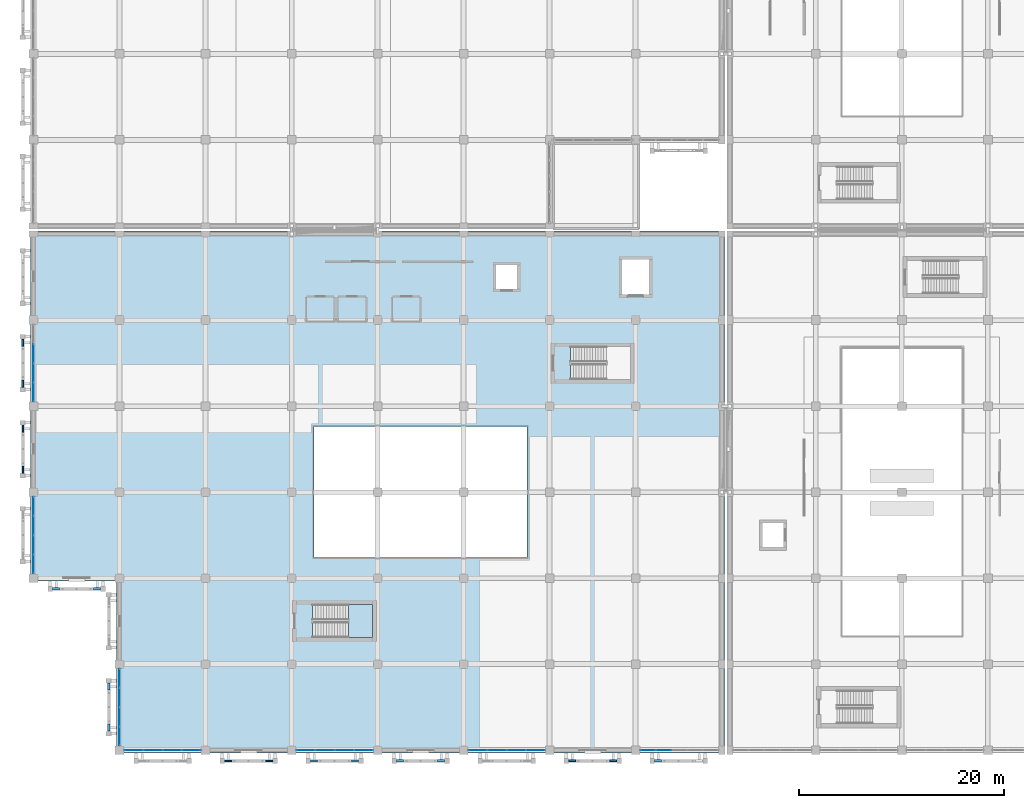
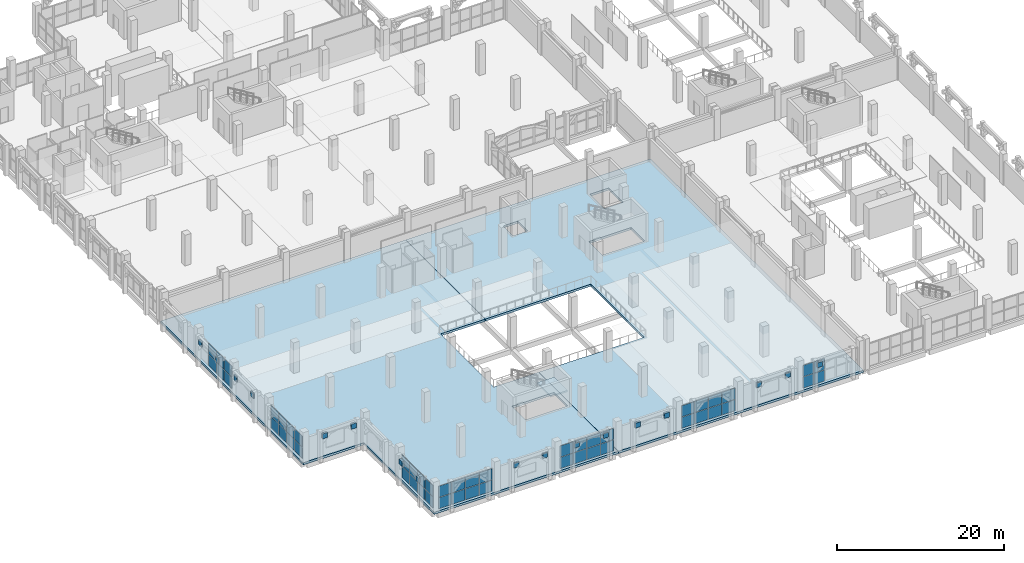
# One storey, part 87 of 137: 67 plates, 3 slabs, 8 elements without a shape of their own.
"""IFC4 building model written with IfcOpenShell, lengths in metres."""

from ifc_helpers import new_model, si_unit, direction, frame, origin, origin_2d, place, context, subcontext, project, spatial, polyline, rectangle, outline, extrude, material, layer, layer_set, type_object, element, aggregate, save


model = new_model("IFC4")

# Units and contexts
model_context = context("Model", 3, precision=1e-05, world=origin(), true_north=direction((0.0, 1.0)))
body_context = subcontext(model_context, "Body", "Model", "MODEL_VIEW")
ifc_project = project(units=[si_unit("LENGTHUNIT", "METRE"), si_unit("AREAUNIT", "SQUARE_METRE"), si_unit("VOLUMEUNIT", "CUBIC_METRE"), si_unit("PLANEANGLEUNIT", "RADIAN"), si_unit("MASSUNIT", "GRAM", prefix="KILO")], contexts=[model_context])

# Site, building, storey
site_placement = place(None, origin())
site = spatial("IfcSite", under=ifc_project, at=site_placement, CompositionType="ELEMENT")
building_placement = place(site_placement, origin())
building = spatial("IfcBuilding", under=site, at=building_placement, Name="Xazarin Passage Department Store", CompositionType="ELEMENT")
storey_placement = place(building_placement, frame((0.0, 0.0, 5.39990234375)))
storey = spatial("IfcBuildingStorey", under=building, at=storey_placement, Name="L01", CompositionType="ELEMENT", Elevation=5.39990234375)

# Curtain wall, plates
ifc_material_1 = material(Name="Bronze anodised aluminium", Category="aluminium")
ifc_layer_1 = layer(ifc_material_1, 0.18994140625)
ifc_layer_set_1 = layer_set([ifc_layer_1], Name="Bronze anodised aluminium")
curtain_wall_type = type_object("IfcCurtainWallType", Name="ARC-CW-FDH1", PredefinedType="NOTDEFINED", material=ifc_layer_set_1)
curtain_wall_1_placement = place(storey_placement, origin())
curtain_wall_1 = element("IfcCurtainWall", 1, at=curtain_wall_1_placement, inside=storey, type_object=curtain_wall_type, Name="L01 V3 Curtain Wall 123", PredefinedType="NOTDEFINED")
ifc_material_2 = material(Name="Low-E laminated safety glass", Category="glass")
ifc_layer_2 = layer(ifc_material_2, 0.028076171875)
ifc_layer_set_2 = layer_set([ifc_layer_2], Name="Low-E laminated safety glass")
plate_type_1 = type_object("IfcPlateType", Name="ARC-CWP-GLZ28", PredefinedType="CURTAIN_PANEL", material=ifc_layer_set_2)
plate_1_placement = place(storey_placement, frame((9.784912109375, 0.0, 0.06494140625), z_axis=(0.0, 0.0, 1.0), x_axis=(1.0, 0.0, 0.0)))
plate_1 = element("IfcPlate", 2, at=plate_1_placement, type_object=plate_type_1, Name="CW5 panel 1.1", PredefinedType="CURTAIN_PANEL", context=body_context, shape_type="SweptSolid", body=[
    extrude(rectangle(XDim=1.7900390625, YDim=0.028076171875, at=origin_2d()), origin(), (0.0, 0.0, 1.0), 1.617431640625),
])
plate_2_placement = place(storey_placement, frame((9.784912109375, 0.0, 1.74755859375), z_axis=(0.0, 0.0, 1.0), x_axis=(1.0, 0.0, 0.0)))
plate_2 = element("IfcPlate", 3, at=plate_2_placement, type_object=plate_type_1, Name="CW5 panel 1.2", PredefinedType="CURTAIN_PANEL", context=body_context, shape_type="SweptSolid", body=[
    extrude(rectangle(XDim=1.7900390625, YDim=0.028076171875, at=origin_2d()), origin(), (0.0, 0.0, 1.0), 1.617431640625),
])
plate_3_placement = place(storey_placement, frame((11.65625, 0.0, 0.06494140625), z_axis=(0.0, 0.0, 1.0), x_axis=(1.0, 0.0, 0.0)))
plate_3 = element("IfcPlate", 4, at=plate_3_placement, type_object=plate_type_1, Name="CW5 panel 2.1", PredefinedType="CURTAIN_PANEL", context=body_context, shape_type="SweptSolid", body=[
    extrude(rectangle(XDim=1.822509765625, YDim=0.028076171875, at=origin_2d()), origin(), (0.0, 0.0, 1.0), 1.617431640625),
])
plate_4_placement = place(storey_placement, frame((11.65625, 0.0, 1.74755859375), z_axis=(0.0, 0.0, 1.0), x_axis=(1.0, 0.0, 0.0)))
plate_4 = element("IfcPlate", 5, at=plate_4_placement, type_object=plate_type_1, Name="CW5 panel 2.2", PredefinedType="CURTAIN_PANEL", context=body_context, shape_type="SweptSolid", body=[
    extrude(rectangle(XDim=1.822509765625, YDim=0.028076171875, at=origin_2d()), origin(), (0.0, 0.0, 1.0), 1.617431640625),
])
plate_5_placement = place(storey_placement, frame((13.543701171875, 0.0, 0.06494140625), z_axis=(0.0, 0.0, 1.0), x_axis=(1.0, 0.0, 0.0)))
plate_5 = element("IfcPlate", 6, at=plate_5_placement, type_object=plate_type_1, Name="CW5 panel 3.1", PredefinedType="CURTAIN_PANEL", context=body_context, shape_type="SweptSolid", body=[
    extrude(rectangle(XDim=1.822509765625, YDim=0.028076171875, at=origin_2d()), origin(), (0.0, 0.0, 1.0), 1.617431640625),
])
plate_6_placement = place(storey_placement, frame((13.543701171875, 0.0, 1.74755859375), z_axis=(0.0, 0.0, 1.0), x_axis=(1.0, 0.0, 0.0)))
plate_6 = element("IfcPlate", 7, at=plate_6_placement, type_object=plate_type_1, Name="CW5 panel 3.2", PredefinedType="CURTAIN_PANEL", context=body_context, shape_type="SweptSolid", body=[
    extrude(rectangle(XDim=1.822509765625, YDim=0.028076171875, at=origin_2d()), origin(), (0.0, 0.0, 1.0), 1.617431640625),
])
plate_7_placement = place(storey_placement, frame((15.4150390625, 0.0, 0.06494140625), z_axis=(0.0, 0.0, 1.0), x_axis=(1.0, 0.0, 0.0)))
plate_7 = element("IfcPlate", 8, at=plate_7_placement, type_object=plate_type_1, Name="CW5 panel 4.1", PredefinedType="CURTAIN_PANEL", context=body_context, shape_type="SweptSolid", body=[
    extrude(rectangle(XDim=1.7900390625, YDim=0.028076171875, at=origin_2d()), origin(), (0.0, 0.0, 1.0), 1.617431640625),
])
plate_8_placement = place(storey_placement, frame((15.4150390625, 0.0, 1.74755859375), z_axis=(0.0, 0.0, 1.0), x_axis=(1.0, 0.0, 0.0)))
plate_8 = element("IfcPlate", 9, at=plate_8_placement, type_object=plate_type_1, Name="CW5 panel 4.2", PredefinedType="CURTAIN_PANEL", context=body_context, shape_type="SweptSolid", body=[
    extrude(rectangle(XDim=1.7900390625, YDim=0.028076171875, at=origin_2d()), origin(), (0.0, 0.0, 1.0), 1.617431640625),
])
aggregate(curtain_wall_1, [plate_1, plate_2, plate_3, plate_4, plate_5, plate_6, plate_7, plate_8])

curtain_wall_2_placement = place(storey_placement, origin())
curtain_wall_2 = element("IfcCurtainWall", 10, at=curtain_wall_2_placement, inside=storey, type_object=curtain_wall_type, Name="L01 V3 Curtain Wall 124", PredefinedType="NOTDEFINED")
plate_9_placement = place(storey_placement, frame((26.5849609375, 0.0, 0.06494140625), z_axis=(0.0, 0.0, 1.0), x_axis=(1.0, 0.0, 0.0)))
plate_9 = element("IfcPlate", 11, at=plate_9_placement, type_object=plate_type_1, Name="CW5 panel 1.1", PredefinedType="CURTAIN_PANEL", context=body_context, shape_type="SweptSolid", body=[
    extrude(rectangle(XDim=1.7900390625, YDim=0.028076171875, at=origin_2d()), origin(), (0.0, 0.0, 1.0), 1.617431640625),
])
plate_10_placement = place(storey_placement, frame((26.5849609375, 0.0, 1.74755859375), z_axis=(0.0, 0.0, 1.0), x_axis=(1.0, 0.0, 0.0)))
plate_10 = element("IfcPlate", 12, at=plate_10_placement, type_object=plate_type_1, Name="CW5 panel 1.2", PredefinedType="CURTAIN_PANEL", context=body_context, shape_type="SweptSolid", body=[
    extrude(rectangle(XDim=1.7900390625, YDim=0.028076171875, at=origin_2d()), origin(), (0.0, 0.0, 1.0), 1.617431640625),
])
plate_11_placement = place(storey_placement, frame((28.456298828125, 0.0, 0.06494140625), z_axis=(0.0, 0.0, 1.0), x_axis=(1.0, 0.0, 0.0)))
plate_11 = element("IfcPlate", 13, at=plate_11_placement, type_object=plate_type_1, Name="CW5 panel 2.1", PredefinedType="CURTAIN_PANEL", context=body_context, shape_type="SweptSolid", body=[
    extrude(rectangle(XDim=1.822509765625, YDim=0.028076171875, at=origin_2d()), origin(), (0.0, 0.0, 1.0), 1.617431640625),
])
plate_12_placement = place(storey_placement, frame((28.456298828125, 0.0, 1.74755859375), z_axis=(0.0, 0.0, 1.0), x_axis=(1.0, 0.0, 0.0)))
plate_12 = element("IfcPlate", 14, at=plate_12_placement, type_object=plate_type_1, Name="CW5 panel 2.2", PredefinedType="CURTAIN_PANEL", context=body_context, shape_type="SweptSolid", body=[
    extrude(rectangle(XDim=1.822509765625, YDim=0.028076171875, at=origin_2d()), origin(), (0.0, 0.0, 1.0), 1.617431640625),
])
plate_13_placement = place(storey_placement, frame((30.34375, 0.0, 0.06494140625), z_axis=(0.0, 0.0, 1.0), x_axis=(1.0, 0.0, 0.0)))
plate_13 = element("IfcPlate", 15, at=plate_13_placement, type_object=plate_type_1, Name="CW5 panel 3.1", PredefinedType="CURTAIN_PANEL", context=body_context, shape_type="SweptSolid", body=[
    extrude(rectangle(XDim=1.822509765625, YDim=0.028076171875, at=origin_2d()), origin(), (0.0, 0.0, 1.0), 1.617431640625),
])
plate_14_placement = place(storey_placement, frame((30.34375, 0.0, 1.74755859375), z_axis=(0.0, 0.0, 1.0), x_axis=(1.0, 0.0, 0.0)))
plate_14 = element("IfcPlate", 16, at=plate_14_placement, type_object=plate_type_1, Name="CW5 panel 3.2", PredefinedType="CURTAIN_PANEL", context=body_context, shape_type="SweptSolid", body=[
    extrude(rectangle(XDim=1.822509765625, YDim=0.028076171875, at=origin_2d()), origin(), (0.0, 0.0, 1.0), 1.617431640625),
])
plate_15_placement = place(storey_placement, frame((32.215087890625, 0.0, 0.06494140625), z_axis=(0.0, 0.0, 1.0), x_axis=(1.0, 0.0, 0.0)))
plate_15 = element("IfcPlate", 17, at=plate_15_placement, type_object=plate_type_1, Name="CW5 panel 4.1", PredefinedType="CURTAIN_PANEL", context=body_context, shape_type="SweptSolid", body=[
    extrude(rectangle(XDim=1.7900390625, YDim=0.028076171875, at=origin_2d()), origin(), (0.0, 0.0, 1.0), 1.617431640625),
])
plate_16_placement = place(storey_placement, frame((32.215087890625, 0.0, 1.74755859375), z_axis=(0.0, 0.0, 1.0), x_axis=(1.0, 0.0, 0.0)))
plate_16 = element("IfcPlate", 18, at=plate_16_placement, type_object=plate_type_1, Name="CW5 panel 4.2", PredefinedType="CURTAIN_PANEL", context=body_context, shape_type="SweptSolid", body=[
    extrude(rectangle(XDim=1.7900390625, YDim=0.028076171875, at=origin_2d()), origin(), (0.0, 0.0, 1.0), 1.617431640625),
])
aggregate(curtain_wall_2, [plate_9, plate_10, plate_11, plate_12, plate_13, plate_14, plate_15, plate_16])

curtain_wall_3_placement = place(storey_placement, origin())
curtain_wall_3 = element("IfcCurtainWall", 19, at=curtain_wall_3_placement, inside=storey, type_object=curtain_wall_type, Name="L01 V3 Curtain Wall 125", PredefinedType="NOTDEFINED")
plate_17_placement = place(storey_placement, frame((43.385009765625, 0.0, 0.06494140625), z_axis=(0.0, 0.0, 1.0), x_axis=(1.0, 0.0, 0.0)))
plate_17 = element("IfcPlate", 20, at=plate_17_placement, type_object=plate_type_1, Name="CW5 panel 1.1", PredefinedType="CURTAIN_PANEL", context=body_context, shape_type="SweptSolid", body=[
    extrude(rectangle(XDim=1.7900390625, YDim=0.028076171875, at=origin_2d()), origin(), (0.0, 0.0, 1.0), 1.617431640625),
])
plate_18_placement = place(storey_placement, frame((43.385009765625, 0.0, 1.74755859375), z_axis=(0.0, 0.0, 1.0), x_axis=(1.0, 0.0, 0.0)))
plate_18 = element("IfcPlate", 21, at=plate_18_placement, type_object=plate_type_1, Name="CW5 panel 1.2", PredefinedType="CURTAIN_PANEL", context=body_context, shape_type="SweptSolid", body=[
    extrude(rectangle(XDim=1.7900390625, YDim=0.028076171875, at=origin_2d()), origin(), (0.0, 0.0, 1.0), 1.617431640625),
])
plate_19_placement = place(storey_placement, frame((45.25634765625, 0.0, 0.06494140625), z_axis=(0.0, 0.0, 1.0), x_axis=(1.0, 0.0, 0.0)))
plate_19 = element("IfcPlate", 22, at=plate_19_placement, type_object=plate_type_1, Name="CW5 panel 2.1", PredefinedType="CURTAIN_PANEL", context=body_context, shape_type="SweptSolid", body=[
    extrude(rectangle(XDim=1.822509765625, YDim=0.028076171875, at=origin_2d()), origin(), (0.0, 0.0, 1.0), 1.617431640625),
])
plate_20_placement = place(storey_placement, frame((45.25634765625, 0.0, 1.74755859375), z_axis=(0.0, 0.0, 1.0), x_axis=(1.0, 0.0, 0.0)))
plate_20 = element("IfcPlate", 23, at=plate_20_placement, type_object=plate_type_1, Name="CW5 panel 2.2", PredefinedType="CURTAIN_PANEL", context=body_context, shape_type="SweptSolid", body=[
    extrude(rectangle(XDim=1.822509765625, YDim=0.028076171875, at=origin_2d()), origin(), (0.0, 0.0, 1.0), 1.617431640625),
])
plate_21_placement = place(storey_placement, frame((47.143798828125, 0.0, 0.06494140625), z_axis=(0.0, 0.0, 1.0), x_axis=(1.0, 0.0, 0.0)))
plate_21 = element("IfcPlate", 24, at=plate_21_placement, type_object=plate_type_1, Name="CW5 panel 3.1", PredefinedType="CURTAIN_PANEL", context=body_context, shape_type="SweptSolid", body=[
    extrude(rectangle(XDim=1.822509765625, YDim=0.028076171875, at=origin_2d()), origin(), (0.0, 0.0, 1.0), 1.617431640625),
])
plate_22_placement = place(storey_placement, frame((47.143798828125, 0.0, 1.74755859375), z_axis=(0.0, 0.0, 1.0), x_axis=(1.0, 0.0, 0.0)))
plate_22 = element("IfcPlate", 25, at=plate_22_placement, type_object=plate_type_1, Name="CW5 panel 3.2", PredefinedType="CURTAIN_PANEL", context=body_context, shape_type="SweptSolid", body=[
    extrude(rectangle(XDim=1.822509765625, YDim=0.028076171875, at=origin_2d()), origin(), (0.0, 0.0, 1.0), 1.617431640625),
])
plate_23_placement = place(storey_placement, frame((49.014892578125, 0.0, 0.06494140625), z_axis=(0.0, 0.0, 1.0), x_axis=(1.0, 0.0, 0.0)))
plate_23 = element("IfcPlate", 26, at=plate_23_placement, type_object=plate_type_1, Name="CW5 panel 4.1", PredefinedType="CURTAIN_PANEL", context=body_context, shape_type="SweptSolid", body=[
    extrude(rectangle(XDim=1.7900390625, YDim=0.028076171875, at=origin_2d()), origin(), (0.0, 0.0, 1.0), 1.617431640625),
])
plate_24_placement = place(storey_placement, frame((49.014892578125, 0.0, 1.74755859375), z_axis=(0.0, 0.0, 1.0), x_axis=(1.0, 0.0, 0.0)))
plate_24 = element("IfcPlate", 27, at=plate_24_placement, type_object=plate_type_1, Name="CW5 panel 4.2", PredefinedType="CURTAIN_PANEL", context=body_context, shape_type="SweptSolid", body=[
    extrude(rectangle(XDim=1.7900390625, YDim=0.028076171875, at=origin_2d()), origin(), (0.0, 0.0, 1.0), 1.617431640625),
])
aggregate(curtain_wall_3, [plate_17, plate_18, plate_19, plate_20, plate_21, plate_22, plate_23, plate_24])

curtain_wall_4_placement = place(storey_placement, origin())
curtain_wall_4 = element("IfcCurtainWall", 28, at=curtain_wall_4_placement, inside=storey, type_object=curtain_wall_type, Name="L01 V3 Curtain Wall 126", PredefinedType="NOTDEFINED")
plate_25_placement = place(storey_placement, frame((60.0087890625, 0.0, 0.06494140625), z_axis=(0.0, 0.0, 1.0), x_axis=(1.0, 0.0, 0.0)))
plate_25 = element("IfcPlate", 29, at=plate_25_placement, type_object=plate_type_1, Name="CW5 panel 1.1", PredefinedType="CURTAIN_PANEL", context=body_context, shape_type="SweptSolid", body=[
    extrude(rectangle(XDim=1.4375, YDim=0.028076171875, at=origin_2d()), origin(), (0.0, 0.0, 1.0), 1.617431640625),
])
plate_26_placement = place(storey_placement, frame((60.0087890625, 0.0, 1.74755859375), z_axis=(0.0, 0.0, 1.0), x_axis=(1.0, 0.0, 0.0)))
plate_26 = element("IfcPlate", 30, at=plate_26_placement, type_object=plate_type_1, Name="CW5 panel 1.2", PredefinedType="CURTAIN_PANEL", context=body_context, shape_type="SweptSolid", body=[
    extrude(rectangle(XDim=1.4375, YDim=0.028076171875, at=origin_2d()), origin(), (0.0, 0.0, 1.0), 1.617431640625),
])
plate_27_placement = place(storey_placement, frame((61.527587890625, 0.0, 0.06494140625), z_axis=(0.0, 0.0, 1.0), x_axis=(1.0, 0.0, 0.0)))
plate_27 = element("IfcPlate", 31, at=plate_27_placement, type_object=plate_type_1, Name="CW5 panel 2.1", PredefinedType="CURTAIN_PANEL", context=body_context, shape_type="SweptSolid", body=[
    extrude(rectangle(XDim=1.469970703125, YDim=0.028076171875, at=origin_2d()), origin(), (0.0, 0.0, 1.0), 1.617431640625),
])
plate_28_placement = place(storey_placement, frame((61.527587890625, 0.0, 1.74755859375), z_axis=(0.0, 0.0, 1.0), x_axis=(1.0, 0.0, 0.0)))
plate_28 = element("IfcPlate", 32, at=plate_28_placement, type_object=plate_type_1, Name="CW5 panel 2.2", PredefinedType="CURTAIN_PANEL", context=body_context, shape_type="SweptSolid", body=[
    extrude(rectangle(XDim=1.469970703125, YDim=0.028076171875, at=origin_2d()), origin(), (0.0, 0.0, 1.0), 1.617431640625),
])
aggregate(curtain_wall_4, [plate_25, plate_26, plate_27, plate_28])

curtain_wall_5_placement = place(storey_placement, origin())
curtain_wall_5 = element("IfcCurtainWall", 33, at=curtain_wall_5_placement, inside=storey, type_object=curtain_wall_type, Name="L01 V3 Curtain Wall 127", PredefinedType="NOTDEFINED")
plate_29_placement = place(storey_placement, frame((0.0, 18.18505859375, 0.06494140625), z_axis=(0.0, 0.0, 1.0), x_axis=(0.0, 1.0, 0.0)))
plate_29 = element("IfcPlate", 34, at=plate_29_placement, type_object=plate_type_1, Name="CW5 panel 1.1", PredefinedType="CURTAIN_PANEL", context=body_context, shape_type="SweptSolid", body=[
    extrude(rectangle(XDim=1.7900390625, YDim=0.028076171875, at=origin_2d()), origin(), (0.0, 0.0, 1.0), 1.617431640625),
])
plate_30_placement = place(storey_placement, frame((0.0, 18.18505859375, 1.74755859375), z_axis=(0.0, 0.0, 1.0), x_axis=(0.0, 1.0, 0.0)))
plate_30 = element("IfcPlate", 35, at=plate_30_placement, type_object=plate_type_1, Name="CW5 panel 1.2", PredefinedType="CURTAIN_PANEL", context=body_context, shape_type="SweptSolid", body=[
    extrude(rectangle(XDim=1.7900390625, YDim=0.028076171875, at=origin_2d()), origin(), (0.0, 0.0, 1.0), 1.617431640625),
])
plate_31_placement = place(storey_placement, frame((0.0, 20.05615234375, 0.06494140625), z_axis=(0.0, 0.0, 1.0), x_axis=(0.0, 1.0, 0.0)))
plate_31 = element("IfcPlate", 36, at=plate_31_placement, type_object=plate_type_1, Name="CW5 panel 2.1", PredefinedType="CURTAIN_PANEL", context=body_context, shape_type="SweptSolid", body=[
    extrude(rectangle(XDim=1.822509765625, YDim=0.028076171875, at=origin_2d()), origin(), (0.0, 0.0, 1.0), 1.617431640625),
])
plate_32_placement = place(storey_placement, frame((0.0, 20.05615234375, 1.74755859375), z_axis=(0.0, 0.0, 1.0), x_axis=(0.0, 1.0, 0.0)))
plate_32 = element("IfcPlate", 37, at=plate_32_placement, type_object=plate_type_1, Name="CW5 panel 2.2", PredefinedType="CURTAIN_PANEL", context=body_context, shape_type="SweptSolid", body=[
    extrude(rectangle(XDim=1.822509765625, YDim=0.028076171875, at=origin_2d()), origin(), (0.0, 0.0, 1.0), 1.617431640625),
])
plate_33_placement = place(storey_placement, frame((0.0, 21.94384765625, 0.06494140625), z_axis=(0.0, 0.0, 1.0), x_axis=(0.0, 1.0, 0.0)))
plate_33 = element("IfcPlate", 38, at=plate_33_placement, type_object=plate_type_1, Name="CW5 panel 3.1", PredefinedType="CURTAIN_PANEL", context=body_context, shape_type="SweptSolid", body=[
    extrude(rectangle(XDim=1.822509765625, YDim=0.028076171875, at=origin_2d()), origin(), (0.0, 0.0, 1.0), 1.617431640625),
])
plate_34_placement = place(storey_placement, frame((0.0, 21.94384765625, 1.74755859375), z_axis=(0.0, 0.0, 1.0), x_axis=(0.0, 1.0, 0.0)))
plate_34 = element("IfcPlate", 39, at=plate_34_placement, type_object=plate_type_1, Name="CW5 panel 3.2", PredefinedType="CURTAIN_PANEL", context=body_context, shape_type="SweptSolid", body=[
    extrude(rectangle(XDim=1.822509765625, YDim=0.028076171875, at=origin_2d()), origin(), (0.0, 0.0, 1.0), 1.617431640625),
])
plate_35_placement = place(storey_placement, frame((0.0, 23.81494140625, 0.06494140625), z_axis=(0.0, 0.0, 1.0), x_axis=(0.0, 1.0, 0.0)))
plate_35 = element("IfcPlate", 40, at=plate_35_placement, type_object=plate_type_1, Name="CW5 panel 4.1", PredefinedType="CURTAIN_PANEL", context=body_context, shape_type="SweptSolid", body=[
    extrude(rectangle(XDim=1.7900390625, YDim=0.028076171875, at=origin_2d()), origin(), (0.0, 0.0, 1.0), 1.617431640625),
])
plate_36_placement = place(storey_placement, frame((0.0, 23.81494140625, 1.74755859375), z_axis=(0.0, 0.0, 1.0), x_axis=(0.0, 1.0, 0.0)))
plate_36 = element("IfcPlate", 41, at=plate_36_placement, type_object=plate_type_1, Name="CW5 panel 4.2", PredefinedType="CURTAIN_PANEL", context=body_context, shape_type="SweptSolid", body=[
    extrude(rectangle(XDim=1.7900390625, YDim=0.028076171875, at=origin_2d()), origin(), (0.0, 0.0, 1.0), 1.617431640625),
])
aggregate(curtain_wall_5, [plate_29, plate_30, plate_31, plate_32, plate_33, plate_34, plate_35, plate_36])

curtain_wall_6_placement = place(storey_placement, origin())
curtain_wall_6 = element("IfcCurtainWall", 42, at=curtain_wall_6_placement, inside=storey, type_object=curtain_wall_type, Name="L01 V3 Curtain Wall 128", PredefinedType="NOTDEFINED")
plate_37_placement = place(storey_placement, frame((0.0, 34.985107421875, 0.06494140625), z_axis=(0.0, 0.0, 1.0), x_axis=(0.0, 1.0, 0.0)))
plate_37 = element("IfcPlate", 43, at=plate_37_placement, type_object=plate_type_1, Name="CW5 panel 1.1", PredefinedType="CURTAIN_PANEL", context=body_context, shape_type="SweptSolid", body=[
    extrude(rectangle(XDim=1.7900390625, YDim=0.028076171875, at=origin_2d()), origin(), (0.0, 0.0, 1.0), 1.617431640625),
])
plate_38_placement = place(storey_placement, frame((0.0, 34.985107421875, 1.74755859375), z_axis=(0.0, 0.0, 1.0), x_axis=(0.0, 1.0, 0.0)))
plate_38 = element("IfcPlate", 44, at=plate_38_placement, type_object=plate_type_1, Name="CW5 panel 1.2", PredefinedType="CURTAIN_PANEL", context=body_context, shape_type="SweptSolid", body=[
    extrude(rectangle(XDim=1.7900390625, YDim=0.028076171875, at=origin_2d()), origin(), (0.0, 0.0, 1.0), 1.617431640625),
])
plate_39_placement = place(storey_placement, frame((0.0, 36.856201171875, 0.06494140625), z_axis=(0.0, 0.0, 1.0), x_axis=(0.0, 1.0, 0.0)))
plate_39 = element("IfcPlate", 45, at=plate_39_placement, type_object=plate_type_1, Name="CW5 panel 2.1", PredefinedType="CURTAIN_PANEL", context=body_context, shape_type="SweptSolid", body=[
    extrude(rectangle(XDim=1.822509765625, YDim=0.028076171875, at=origin_2d()), origin(), (0.0, 0.0, 1.0), 1.617431640625),
])
plate_40_placement = place(storey_placement, frame((0.0, 36.856201171875, 1.74755859375), z_axis=(0.0, 0.0, 1.0), x_axis=(0.0, 1.0, 0.0)))
plate_40 = element("IfcPlate", 46, at=plate_40_placement, type_object=plate_type_1, Name="CW5 panel 2.2", PredefinedType="CURTAIN_PANEL", context=body_context, shape_type="SweptSolid", body=[
    extrude(rectangle(XDim=1.822509765625, YDim=0.028076171875, at=origin_2d()), origin(), (0.0, 0.0, 1.0), 1.617431640625),
])
plate_41_placement = place(storey_placement, frame((0.0, 38.74365234375, 0.06494140625), z_axis=(0.0, 0.0, 1.0), x_axis=(0.0, 1.0, 0.0)))
plate_41 = element("IfcPlate", 47, at=plate_41_placement, type_object=plate_type_1, Name="CW5 panel 3.1", PredefinedType="CURTAIN_PANEL", context=body_context, shape_type="SweptSolid", body=[
    extrude(rectangle(XDim=1.822509765625, YDim=0.028076171875, at=origin_2d()), origin(), (0.0, 0.0, 1.0), 1.617431640625),
])
plate_42_placement = place(storey_placement, frame((0.0, 38.74365234375, 1.74755859375), z_axis=(0.0, 0.0, 1.0), x_axis=(0.0, 1.0, 0.0)))
plate_42 = element("IfcPlate", 48, at=plate_42_placement, type_object=plate_type_1, Name="CW5 panel 3.2", PredefinedType="CURTAIN_PANEL", context=body_context, shape_type="SweptSolid", body=[
    extrude(rectangle(XDim=1.822509765625, YDim=0.028076171875, at=origin_2d()), origin(), (0.0, 0.0, 1.0), 1.617431640625),
])
aggregate(curtain_wall_6, [plate_37, plate_38, plate_39, plate_40, plate_41, plate_42])

curtain_wall_7_placement = place(storey_placement, origin())
curtain_wall_7 = element("IfcCurtainWall", 49, at=curtain_wall_7_placement, inside=storey, type_object=curtain_wall_type, Name="L01 V3 Curtain Wall 129", PredefinedType="NOTDEFINED")
plate_43_placement = place(storey_placement, frame((8.39990234375, 1.385009765625, 0.06494140625), z_axis=(0.0, 0.0, 1.0), x_axis=(0.0, 1.0, 0.0)))
plate_43 = element("IfcPlate", 50, at=plate_43_placement, type_object=plate_type_1, Name="CW5 panel 1.1", PredefinedType="CURTAIN_PANEL", context=body_context, shape_type="SweptSolid", body=[
    extrude(rectangle(XDim=1.7900390625, YDim=0.028076171875, at=origin_2d()), origin(), (0.0, 0.0, 1.0), 1.617431640625),
])
plate_44_placement = place(storey_placement, frame((8.39990234375, 1.385009765625, 1.74755859375), z_axis=(0.0, 0.0, 1.0), x_axis=(0.0, 1.0, 0.0)))
plate_44 = element("IfcPlate", 51, at=plate_44_placement, type_object=plate_type_1, Name="CW5 panel 1.2", PredefinedType="CURTAIN_PANEL", context=body_context, shape_type="SweptSolid", body=[
    extrude(rectangle(XDim=1.7900390625, YDim=0.028076171875, at=origin_2d()), origin(), (0.0, 0.0, 1.0), 1.617431640625),
])
plate_45_placement = place(storey_placement, frame((8.39990234375, 3.25634765625, 0.06494140625), z_axis=(0.0, 0.0, 1.0), x_axis=(0.0, 1.0, 0.0)))
plate_45 = element("IfcPlate", 52, at=plate_45_placement, type_object=plate_type_1, Name="CW5 panel 2.1", PredefinedType="CURTAIN_PANEL", context=body_context, shape_type="SweptSolid", body=[
    extrude(rectangle(XDim=1.822509765625, YDim=0.028076171875, at=origin_2d()), origin(), (0.0, 0.0, 1.0), 1.617431640625),
])
plate_46_placement = place(storey_placement, frame((8.39990234375, 3.25634765625, 1.74755859375), z_axis=(0.0, 0.0, 1.0), x_axis=(0.0, 1.0, 0.0)))
plate_46 = element("IfcPlate", 53, at=plate_46_placement, type_object=plate_type_1, Name="CW5 panel 2.2", PredefinedType="CURTAIN_PANEL", context=body_context, shape_type="SweptSolid", body=[
    extrude(rectangle(XDim=1.822509765625, YDim=0.028076171875, at=origin_2d()), origin(), (0.0, 0.0, 1.0), 1.617431640625),
])
plate_47_placement = place(storey_placement, frame((8.39990234375, 5.143798828125, 0.06494140625), z_axis=(0.0, 0.0, 1.0), x_axis=(0.0, 1.0, 0.0)))
plate_47 = element("IfcPlate", 54, at=plate_47_placement, type_object=plate_type_1, Name="CW5 panel 3.1", PredefinedType="CURTAIN_PANEL", context=body_context, shape_type="SweptSolid", body=[
    extrude(rectangle(XDim=1.822509765625, YDim=0.028076171875, at=origin_2d()), origin(), (0.0, 0.0, 1.0), 1.617431640625),
])
plate_48_placement = place(storey_placement, frame((8.39990234375, 5.143798828125, 1.74755859375), z_axis=(0.0, 0.0, 1.0), x_axis=(0.0, 1.0, 0.0)))
plate_48 = element("IfcPlate", 55, at=plate_48_placement, type_object=plate_type_1, Name="CW5 panel 3.2", PredefinedType="CURTAIN_PANEL", context=body_context, shape_type="SweptSolid", body=[
    extrude(rectangle(XDim=1.822509765625, YDim=0.028076171875, at=origin_2d()), origin(), (0.0, 0.0, 1.0), 1.617431640625),
])
plate_49_placement = place(storey_placement, frame((8.39990234375, 7.014892578125, 0.06494140625), z_axis=(0.0, 0.0, 1.0), x_axis=(0.0, 1.0, 0.0)))
plate_49 = element("IfcPlate", 56, at=plate_49_placement, type_object=plate_type_1, Name="CW5 panel 4.1", PredefinedType="CURTAIN_PANEL", context=body_context, shape_type="SweptSolid", body=[
    extrude(rectangle(XDim=1.7900390625, YDim=0.028076171875, at=origin_2d()), origin(), (0.0, 0.0, 1.0), 1.617431640625),
])
plate_50_placement = place(storey_placement, frame((8.39990234375, 7.014892578125, 1.74755859375), z_axis=(0.0, 0.0, 1.0), x_axis=(0.0, 1.0, 0.0)))
plate_50 = element("IfcPlate", 57, at=plate_50_placement, type_object=plate_type_1, Name="CW5 panel 4.2", PredefinedType="CURTAIN_PANEL", context=body_context, shape_type="SweptSolid", body=[
    extrude(rectangle(XDim=1.7900390625, YDim=0.028076171875, at=origin_2d()), origin(), (0.0, 0.0, 1.0), 1.617431640625),
])
aggregate(curtain_wall_7, [plate_43, plate_44, plate_45, plate_46, plate_47, plate_48, plate_49, plate_50])

# Plates
ifc_material_3 = material(Name="Precast concrete C40/50", Category="concrete")
ifc_layer_3 = layer(ifc_material_3, 0.139892578125)
ifc_layer_set_3 = layer_set([ifc_layer_3], Name="Precast concrete C40/50")
plate_type_2 = type_object("IfcPlateType", Name="ARC-PLT-SCR-07", PredefinedType="USERDEFINED", material=ifc_layer_set_3)
for number, where, z_axis, x_axis, name in (
    (58, (19.0, -1.050048828125, 3.26025390625), (0.0, 0.0, 1.0), (1.0, 0.0, 0.0), "L01 V3 Arch Spandrel Tympanum 0227"),
    (59, (23.0, -1.050048828125, 3.26025390625), (0.0, 0.0, 1.0), (1.0, 0.0, 0.0), "L01 V3 Arch Spandrel Tympanum 0228"),
    (60, (-1.050048828125, 27.39990234375, 3.26025390625), (0.0, 0.0, 1.0), (0.0, 1.0, 0.0), "L01 V3 Arch Spandrel Tympanum 0267"),
    (61, (-1.050048828125, 31.39990234375, 3.26025390625), (0.0, 0.0, 1.0), (0.0, 1.0, 0.0), "L01 V3 Arch Spandrel Tympanum 0268"),
):
    element("IfcPlate", number, at=place(storey_placement, frame(where, z_axis=z_axis, x_axis=x_axis)), inside=storey, type_object=plate_type_2, Name=name, ObjectType="SCREEN PANEL", PredefinedType="USERDEFINED", context=body_context, shape_type="SweptSolid", body=[
        extrude(rectangle(XDim=0.679931640625, YDim=0.139892578125, at=origin_2d()), origin(), (0.0, 0.0, 1.0), 0.719970703125),
    ])
ifc_layer_4 = layer(ifc_material_3, 0.179931640625)
ifc_layer_set_4 = layer_set([ifc_layer_4], Name="Precast concrete C40/50")
plate_type_3 = type_object("IfcPlateType", Name="ARC-PLT-SCR-11", PredefinedType="USERDEFINED", material=ifc_layer_set_4)
for number, where, z_axis, x_axis, name in (
    (62, (52.60009765625, -1.050048828125, 3.26025390625), (0.0, 0.0, 1.0), (1.0, 0.0, 0.0), "L01 V3 Arch Spandrel Tympanum 0251"),
    (63, (56.60009765625, -1.050048828125, 3.26025390625), (0.0, 0.0, 1.0), (1.0, 0.0, 0.0), "L01 V3 Arch Spandrel Tympanum 0252"),
    (64, (-1.050048828125, 35.800048828125, 3.26025390625), (0.0, 0.0, 1.0), (0.0, 1.0, 0.0), "L01 V3 Arch Spandrel Tympanum 0271"),
    (65, (-1.050048828125, 39.800048828125, 3.26025390625), (0.0, 0.0, 1.0), (0.0, 1.0, 0.0), "L01 V3 Arch Spandrel Tympanum 0272"),
):
    element("IfcPlate", number, at=place(storey_placement, frame(where, z_axis=z_axis, x_axis=x_axis)), inside=storey, type_object=plate_type_3, Name=name, ObjectType="SCREEN PANEL", PredefinedType="USERDEFINED", context=body_context, shape_type="SweptSolid", body=[
        extrude(rectangle(XDim=0.679931640625, YDim=0.179931640625, at=origin_2d()), origin(), (0.0, 0.0, 1.0), 0.719970703125),
    ])
ifc_layer_5 = layer(ifc_material_3, 0.199951171875)
ifc_layer_set_5 = layer_set([ifc_layer_5], Name="Precast concrete C40/50")
plate_type_4 = type_object("IfcPlateType", Name="ARC-PLT-SCR-13", PredefinedType="USERDEFINED", material=ifc_layer_set_5)
for number, where, z_axis, x_axis, name in (
    (66, (27.39990234375, -1.050048828125, 3.26025390625), (0.0, 0.0, 1.0), (1.0, 0.0, 0.0), "L01 V3 Arch Spandrel Tympanum 0233"),
    (67, (31.39990234375, -1.050048828125, 3.26025390625), (0.0, 0.0, 1.0), (1.0, 0.0, 0.0), "L01 V3 Arch Spandrel Tympanum 0234"),
):
    element("IfcPlate", number, at=place(storey_placement, frame(where, z_axis=z_axis, x_axis=x_axis)), inside=storey, type_object=plate_type_4, Name=name, ObjectType="SCREEN PANEL", PredefinedType="USERDEFINED", context=body_context, shape_type="SweptSolid", body=[
        extrude(rectangle(XDim=0.679931640625, YDim=0.199951171875, at=origin_2d()), origin(), (0.0, 0.0, 1.0), 0.719970703125),
    ])
ifc_layer_6 = layer(ifc_material_3, 0.239990234375)
ifc_layer_set_6 = layer_set([ifc_layer_6], Name="Precast concrete C40/50")
plate_type_5 = type_object("IfcPlateType", Name="ARC-PLT-SCR-17", PredefinedType="USERDEFINED", material=ifc_layer_set_6)
for number, where, z_axis, x_axis, name in (
    (68, (2.199951171875, 15.75, 3.26025390625), (0.0, 0.0, 1.0), (1.0, 0.0, 0.0), "L01 V3 Arch Spandrel Tympanum 0217"),
    (69, (6.199951171875, 15.75, 3.26025390625), (0.0, 0.0, 1.0), (1.0, 0.0, 0.0), "L01 V3 Arch Spandrel Tympanum 0218"),
    (70, (61.0, -1.050048828125, 3.26025390625), (0.0, 0.0, 1.0), (1.0, 0.0, 0.0), "L01 V3 Arch Spandrel Tympanum 0257"),
):
    element("IfcPlate", number, at=place(storey_placement, frame(where, z_axis=z_axis, x_axis=x_axis)), inside=storey, type_object=plate_type_5, Name=name, ObjectType="SCREEN PANEL", PredefinedType="USERDEFINED", context=body_context, shape_type="SweptSolid", body=[
        extrude(rectangle(XDim=0.679931640625, YDim=0.239990234375, at=origin_2d()), origin(), (0.0, 0.0, 1.0), 0.719970703125),
    ])
ifc_layer_7 = layer(ifc_material_3, 0.260009765625)
ifc_layer_set_7 = layer_set([ifc_layer_7], Name="Precast concrete C40/50")
plate_type_6 = type_object("IfcPlateType", Name="ARC-PLT-SCR-19", PredefinedType="USERDEFINED", material=ifc_layer_set_7)
for number, where, z_axis, x_axis, name in (
    (71, (35.800048828125, -1.050048828125, 3.26025390625), (0.0, 0.0, 1.0), (1.0, 0.0, 0.0), "L01 V3 Arch Spandrel Tympanum 0239"),
    (72, (39.800048828125, -1.050048828125, 3.26025390625), (0.0, 0.0, 1.0), (1.0, 0.0, 0.0), "L01 V3 Arch Spandrel Tympanum 0240"),
    (73, (7.35009765625, 2.199951171875, 3.26025390625), (0.0, 0.0, 1.0), (0.0, 1.0, 0.0), "L01 V3 Arch Spandrel Tympanum 0279"),
    (74, (7.35009765625, 6.199951171875, 3.26025390625), (0.0, 0.0, 1.0), (0.0, 1.0, 0.0), "L01 V3 Arch Spandrel Tympanum 0280"),
):
    element("IfcPlate", number, at=place(storey_placement, frame(where, z_axis=z_axis, x_axis=x_axis)), inside=storey, type_object=plate_type_6, Name=name, ObjectType="SCREEN PANEL", PredefinedType="USERDEFINED", context=body_context, shape_type="SweptSolid", body=[
        extrude(rectangle(XDim=0.679931640625, YDim=0.260009765625, at=origin_2d()), origin(), (0.0, 0.0, 1.0), 0.719970703125),
    ])

# Slabs
ifc_material_4 = material(Name="Concrete C35/45", Category="concrete")
ifc_layer_8 = layer(ifc_material_4, 0.320068359375)
ifc_layer_set_8 = layer_set([ifc_layer_8], Name="Concrete C35/45")
slab_type_1 = type_object("IfcSlabType", Name="STR-SLB-FLR320", PredefinedType="FLOOR", material=ifc_layer_set_8)
slab_1_placement = place(storey_placement, frame((0.0, 0.0, -0.31982421875)))
element("IfcSlab", 75, at=slab_1_placement, inside=storey, type_object=slab_type_1, Name="L01 V3 Suspended Floor Slab Bay 1", PredefinedType="FLOOR", context=body_context, shape_type="SweptSolid", body=[
    extrude(outline(polyline([(33.590087890625, -0.300048828125), (33.590087890625, 18.800048828125), (27.39990234375, 18.800048828125), (27.39990234375, 31.60009765625), (33.590087890625, 31.60009765625), (33.590087890625, 50.699951171875), (-0.300048828125, 50.699951171875), (-0.300048828125, 16.5), (8.10009765625, 16.5), (8.10009765625, -0.300048828125), (33.590087890625, -0.300048828125)]), holes=[polyline([(27.251953125, 14.219970703125), (33.10009765625, 14.219970703125), (33.10009765625, 10.97998046875), (27.251953125, 10.97998046875), (27.251953125, 14.219970703125)])]), origin(), (0.0, 0.0, 1.0), 0.31982421875),
])
slab_2_placement = place(storey_placement, frame((0.0, 0.0, -0.31982421875)))
element("IfcSlab", 76, at=slab_2_placement, inside=storey, type_object=slab_type_1, Name="L01 V3 Suspended Floor Slab Bay 2", PredefinedType="FLOOR", context=body_context, shape_type="SweptSolid", body=[
    extrude(outline(polyline([(67.5, 50.699951171875), (33.610107421875, 50.699951171875), (33.610107421875, 31.60009765625), (48.199951171875, 31.60009765625), (48.199951171875, 18.800048828125), (33.610107421875, 18.800048828125), (33.610107421875, -0.300048828125), (67.5, -0.300048828125), (67.5, 50.699951171875)]), holes=[polyline([(57.47998046875, 47.919921875), (60.1201171875, 47.919921875), (60.1201171875, 44.47998046875), (57.47998046875, 44.47998046875), (57.47998046875, 47.919921875)]), polyline([(52.451904296875, 39.419921875), (58.300048828125, 39.419921875), (58.300048828125, 36.179931640625), (52.451904296875, 36.179931640625), (52.451904296875, 39.419921875)]), polyline([(45.179931640625, 47.3701171875), (47.219970703125, 47.3701171875), (47.219970703125, 45.030029296875), (45.179931640625, 45.030029296875), (45.179931640625, 47.3701171875)])]), origin(), (0.0, 0.0, 1.0), 0.31982421875),
])

# Stair, slab
stair_type = type_object("IfcStairType", Name="ARC-ST-TYP", PredefinedType="HALF_TURN_STAIR", material=ifc_material_4)
stair_placement = place(storey_placement, origin())
stair = element("IfcStair", 77, at=stair_placement, inside=storey, type_object=stair_type, Name="L01 Exit Stair ST8", PredefinedType="HALF_TURN_STAIR")
ifc_layer_9 = layer(ifc_material_4, 0.199951171875)
ifc_layer_set_9 = layer_set([ifc_layer_9], Name="Concrete C35/45")
slab_type_2 = type_object("IfcSlabType", Name="STR-SLB-LND200", PredefinedType="LANDING", material=ifc_layer_set_9)
slab_3_placement = place(storey_placement, frame((0.0, 0.0, 2.050048828125)))
slab_3 = element("IfcSlab", 78, at=slab_3_placement, type_object=slab_type_2, Name="ST8 landing 1", PredefinedType="LANDING", context=body_context, shape_type="SweptSolid", body=[
    extrude(outline(polyline([(30.75, 10.97998046875), (33.10009765625, 10.97998046875), (33.10009765625, 14.219970703125), (30.75, 14.219970703125), (30.75, 10.97998046875)])), origin(), (0.0, 0.0, 1.0), 0.199951171875),
])
aggregate(stair, [slab_3])

save(model, "model.ifc")
